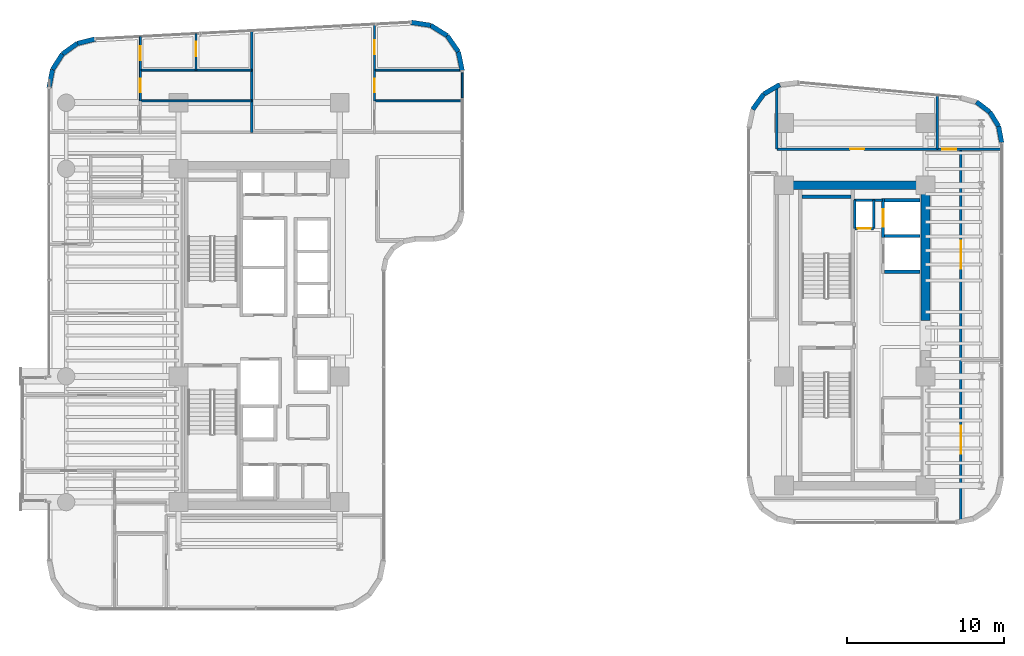
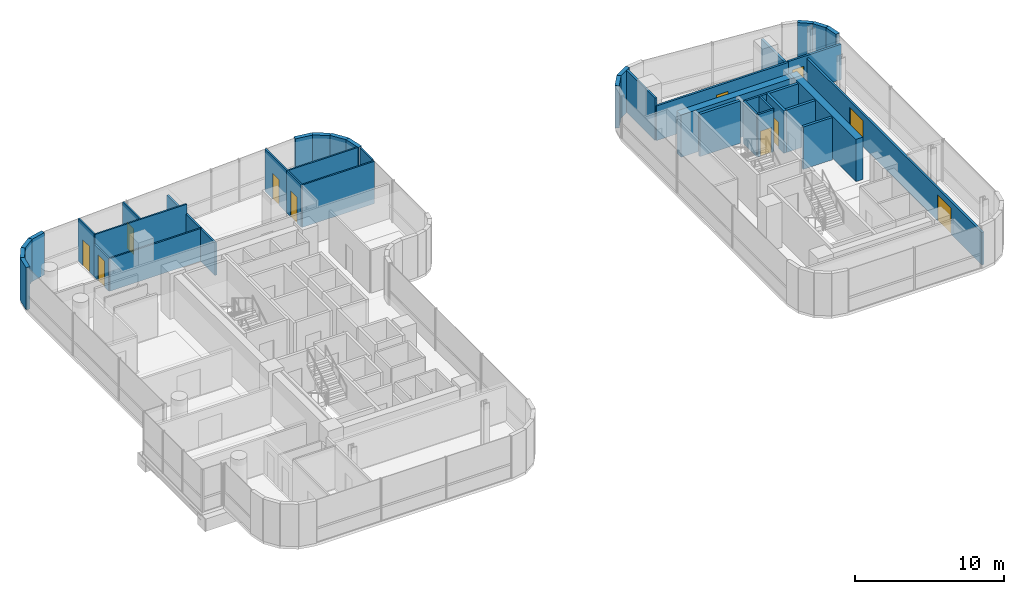
# One storey, part 29 of 34: 40 walls, 11 doors, 11 openings.
"""IFC4 building model written with IfcOpenShell, lengths in metres."""

from ifc_helpers import new_model, si_unit, direction, frame, frame_2d, origin, place, context, subcontext, project, spatial, rectangle, extrude, material, layer, layer_set, type_object, element, fill, save


model = new_model("IFC4")

# Units and contexts
model_context = context("Model", 3, precision=1e-05, world=origin(), true_north=direction((0.0, 1.0)))
body_context = subcontext(model_context, "Body", "Model", "MODEL_VIEW")
ifc_project = project(units=[si_unit("LENGTHUNIT", "METRE"), si_unit("AREAUNIT", "SQUARE_METRE"), si_unit("VOLUMEUNIT", "CUBIC_METRE"), si_unit("PLANEANGLEUNIT", "RADIAN"), si_unit("MASSUNIT", "GRAM", prefix="KILO")], contexts=[model_context])

# Site, building, storey
site_placement = place(None, origin())
site = spatial("IfcSite", under=ifc_project, at=site_placement, CompositionType="ELEMENT")
building_placement = place(site_placement, origin())
building = spatial("IfcBuilding", under=site, at=building_placement, Name="Valdorenza Pilgrim Sanctuary Tower", CompositionType="ELEMENT")
storey_placement = place(building_placement, frame((0.0, 0.0, 161.199951171875)))
storey = spatial("IfcBuildingStorey", under=building, at=storey_placement, Name="L41", CompositionType="ELEMENT", Elevation=161.199951171875)

# Wall, opening, door
ifc_material_1 = material(Name="Acoustic twin-stud gypsum partition", Category="gypsum")
ifc_layer_1 = layer(ifc_material_1, 0.159912109375, Name="Acoustic twin-stud gypsum partition")
ifc_layer_set_1 = layer_set([ifc_layer_1], Name="Acoustic twin-stud gypsum partition")
wall_type_1 = type_object("IfcWallType", Name="WAL-COR-160", PredefinedType="PARTITIONING", material=ifc_layer_set_1)
wall_1_placement = place(storey_placement, frame((20.35009765625, 6.800048828125, 0.0), z_axis=(0.0, 0.0, 1.0), x_axis=(1.0, 0.0, 0.0)))
wall_1 = element("IfcWall", 1, at=wall_1_placement, inside=storey, type_object=wall_type_1, Name="L41 Core B Riser South Wall", PredefinedType="PARTITIONING", context=body_context, shape_type="SweptSolid", body=[
    extrude(rectangle(XDim=1.199951171875, YDim=0.159912109375, at=frame_2d((0.60009765625, 0.0))), origin(), (0.0, 0.0, 1.0), 3.4599609375),
])
opening_1_placement = place(wall_1_placement, frame((0.175048828125, 0.0, 0.0)))
opening_1 = element("IfcOpeningElement", 2, at=opening_1_placement, cuts=wall_1, Name="Opening DR-RS1", PredefinedType="OPENING", context=body_context, shape_type="SweptSolid", body=[
    extrude(rectangle(XDim=0.85009765625, YDim=2.050048828125, at=frame_2d((0.425048828125, 1.02490234375))), frame((0.0, 0.0947265625, 0.0), z_axis=(0.0, -1.0, 0.0), x_axis=(1.0, 0.0, 0.0)), (0.0, 0.0, 1.0), 0.189697265625),
])
ifc_material_2 = material(Name="Painted galvanized steel", Category="steel")
door_type_1 = type_object("IfcDoorType", Name="DR-RSR-850", OperationType="NOTDEFINED", PredefinedType="DOOR", material=ifc_material_2)
door_1_placement = place(opening_1_placement, origin())
door_1 = element("IfcDoor", 3, at=door_1_placement, inside=storey, type_object=door_type_1, Name="L41 Core B Electrical Riser Door", OperationType="SINGLE_SWING_RIGHT", OverallHeight=2.050048828125, OverallWidth=0.85009765625, PredefinedType="DOOR", context=body_context, shape_type="SweptSolid", body=[
    extrude(rectangle(XDim=0.85009765625, YDim=2.050048828125, at=frame_2d((0.425048828125, 1.02490234375))), frame((0.0, 0.02490234375, 0.0), z_axis=(0.0, -1.0, 0.0), x_axis=(1.0, 0.0, 0.0)), (0.0, 0.0, 1.0), 0.050048828125),
])
fill(opening_1, door_1)

# Walls
for number, where, z_axis, x_axis, name in (
    (4, (21.550048828125, 6.800048828125, 0.0), (0.0, 0.0, 1.0), (0.0, 1.0, 0.0), "L41 Core B Riser East Wall"),
    (5, (20.35009765625, 6.800048828125, 0.0), (0.0, 0.0, 1.0), (0.0, 1.0, 0.0), "L41 Core B Riser West Wall"),
):
    element("IfcWall", number, at=place(storey_placement, frame(where, z_axis=z_axis, x_axis=x_axis)), inside=storey, type_object=wall_type_1, Name=name, PredefinedType="PARTITIONING", context=body_context, shape_type="SweptSolid", body=[
        extrude(rectangle(XDim=1.800048828125, YDim=0.159912109375, at=frame_2d((0.89990234375, 0.0))), origin(), (0.0, 0.0, 1.0), 3.4599609375),
    ])
wall_2_placement = place(storey_placement, frame((20.300048828125, 8.60009765625, 0.0), z_axis=(0.0, 0.0, 1.0), x_axis=(1.0, 0.0, 0.0)))
element("IfcWall", 6, at=wall_2_placement, inside=storey, type_object=wall_type_1, Name="L41 Core B Lift Hall North End Wall", PredefinedType="PARTITIONING", context=body_context, shape_type="SweptSolid", body=[
    extrude(rectangle(XDim=1.820068359375, YDim=0.159912109375, at=frame_2d((0.91015625, 0.0))), origin(), (0.0, 0.0, 1.0), 3.4599609375),
])

# Wall, opening, door
wall_3_placement = place(storey_placement, frame((15.39990234375, 11.85009765625, 0.0), z_axis=(0.0, 0.0, 1.0), x_axis=(1.0, 0.0, 0.0)))
wall_3 = element("IfcWall", 7, at=wall_3_placement, inside=storey, type_object=wall_type_1, Name="L41 Wing B North Corridor Wall", PredefinedType="PARTITIONING", context=body_context, shape_type="SweptSolid", body=[
    extrude(rectangle(XDim=10.2001953125, YDim=0.159912109375, at=frame_2d((5.10009765625, 0.0))), origin(), (0.0, 0.0, 1.0), 2.833984375),
])
opening_2_placement = place(wall_3_placement, frame((4.64990234375, 0.0, 0.0)))
opening_2 = element("IfcOpeningElement", 8, at=opening_2_placement, cuts=wall_3, Name="Opening DR-RM1", PredefinedType="OPENING", context=body_context, shape_type="SweptSolid", body=[
    extrude(rectangle(XDim=0.89990234375, YDim=2.10009765625, at=frame_2d((0.449951171875, 1.050048828125))), frame((0.0, 0.0947265625, 0.0), z_axis=(0.0, -1.0, 0.0), x_axis=(1.0, 0.0, 0.0)), (0.0, 0.0, 1.0), 0.189697265625),
])
ifc_material_3 = material(Name="Solid-core European oak timber", Category="wood")
door_type_2 = type_object("IfcDoorType", Name="DR-ROOM-900", OperationType="NOTDEFINED", PredefinedType="DOOR", material=ifc_material_3)
door_2_placement = place(opening_2_placement, frame((0.89990234375, 0.0, 0.0), z_axis=(0.0, 0.0, 1.0), x_axis=(-1.0, 0.0, 0.0)))
door_2 = element("IfcDoor", 9, at=door_2_placement, inside=storey, type_object=door_type_2, Name="L41 Curator Research Office L41-BN1 Door", OperationType="SINGLE_SWING_LEFT", OverallHeight=2.10009765625, OverallWidth=0.89990234375, PredefinedType="DOOR", context=body_context, shape_type="SweptSolid", body=[
    extrude(rectangle(XDim=0.89990234375, YDim=2.10009765625, at=frame_2d((0.449951171875, 1.050048828125))), frame((0.0, 0.02490234375, 0.0), z_axis=(0.0, -1.0, 0.0), x_axis=(1.0, 0.0, 0.0)), (0.0, 0.0, 1.0), 0.050048828125),
])
fill(opening_2, door_2)

# Walls
wall_4_placement = place(storey_placement, frame((15.39990234375, 11.85009765625, 0.0), z_axis=(0.0, 0.0, 1.0), x_axis=(0.0, 1.0, 0.0)))
element("IfcWall", 10, at=wall_4_placement, inside=storey, type_object=wall_type_1, Name="L41 Wing B North West Wall", PredefinedType="PARTITIONING", context=body_context, shape_type="SweptSolid", body=[
    extrude(rectangle(XDim=3.846923828125, YDim=0.159912109375, at=frame_2d((1.92333984375, 0.0))), origin(), (0.0, 0.0, 1.0), 3.4599609375),
])
wall_5_placement = place(storey_placement, frame((25.60009765625, 11.85009765625, 0.0), z_axis=(0.0, 0.0, 1.0), x_axis=(0.0, 1.0, 0.0)))
element("IfcWall", 11, at=wall_5_placement, inside=storey, type_object=wall_type_1, Name="L41 Wing B North East Wall", PredefinedType="PARTITIONING", context=body_context, shape_type="SweptSolid", body=[
    extrude(rectangle(XDim=3.426025390625, YDim=0.159912109375, at=frame_2d((1.712890625, 0.0))), origin(), (0.0, 0.0, 1.0), 2.666015625),
])

# Wall, openings, doors
wall_6_placement = place(storey_placement, frame((27.10009765625, -11.70068359375, 0.0), z_axis=(0.0, 0.0, 1.0), x_axis=(0.0, 1.0, 0.0)))
wall_6 = element("IfcWall", 12, at=wall_6_placement, inside=storey, type_object=wall_type_1, Name="L41 Wing B East Corridor Wall", PredefinedType="PARTITIONING", context=body_context, shape_type="SweptSolid", body=[
    extrude(rectangle(XDim=23.55078125, YDim=0.159912109375, at=frame_2d((11.775390625, 0.0))), origin(), (0.0, 0.0, 1.0), 2.666015625),
])
opening_3_placement = place(wall_6_placement, frame((4.1630859375, 0.0, 0.0)))
opening_3 = element("IfcOpeningElement", 13, at=opening_3_placement, cuts=wall_6, Name="Opening DR-HL1", PredefinedType="OPENING", context=body_context, shape_type="SweptSolid", body=[
    extrude(rectangle(XDim=1.800048828125, YDim=2.14990234375, at=frame_2d((0.89990234375, 1.074951171875))), frame((0.0, 0.0947265625, 0.0), z_axis=(0.0, -1.0, 0.0), x_axis=(1.0, 0.0, 0.0)), (0.0, 0.0, 1.0), 0.189697265625),
])
opening_4_placement = place(wall_6_placement, frame((15.93798828125, 0.0, 0.0)))
opening_4 = element("IfcOpeningElement", 14, at=opening_4_placement, cuts=wall_6, Name="Opening DR-HL1", PredefinedType="OPENING", context=body_context, shape_type="SweptSolid", body=[
    extrude(rectangle(XDim=1.800048828125, YDim=2.14990234375, at=frame_2d((0.89990234375, 1.074951171875))), frame((0.0, 0.0947265625, 0.0), z_axis=(0.0, -1.0, 0.0), x_axis=(1.0, 0.0, 0.0)), (0.0, 0.0, 1.0), 0.189697265625),
])
ifc_material_4 = material(Name="Acoustic oak and vision-glass double door", Category="glass")
door_type_3 = type_object("IfcDoorType", Name="DR-HALL-1800", OperationType="NOTDEFINED", PredefinedType="DOOR", material=ifc_material_4)
door_3_placement = place(opening_3_placement, origin())
door_3 = element("IfcDoor", 15, at=door_3_placement, inside=storey, type_object=door_type_3, Name="L41 East Reading Lounge L41-EB1 Door", OperationType="DOUBLE_DOOR_SINGLE_SWING", OverallHeight=2.14990234375, OverallWidth=1.800048828125, PredefinedType="DOOR", context=body_context, shape_type="SweptSolid", body=[
    extrude(rectangle(XDim=1.800048828125, YDim=2.14990234375, at=frame_2d((0.89990234375, 1.074951171875))), frame((0.0, 0.02490234375, 0.0), z_axis=(0.0, -1.0, 0.0), x_axis=(1.0, 0.0, 0.0)), (0.0, 0.0, 1.0), 0.050048828125),
])
fill(opening_3, door_3)
door_4_placement = place(opening_4_placement, frame((1.800048828125, 0.0, 0.0), z_axis=(0.0, 0.0, 1.0), x_axis=(-1.0, 0.0, 0.0)))
door_4 = element("IfcDoor", 16, at=door_4_placement, inside=storey, type_object=door_type_3, Name="L41 East Reading Lounge L41-EB2 Door", OperationType="DOUBLE_DOOR_SINGLE_SWING", OverallHeight=2.14990234375, OverallWidth=1.800048828125, PredefinedType="DOOR", context=body_context, shape_type="SweptSolid", body=[
    extrude(rectangle(XDim=1.800048828125, YDim=2.14990234375, at=frame_2d((0.89990234375, 1.074951171875))), frame((0.0, 0.02490234375, 0.0), z_axis=(0.0, -1.0, 0.0), x_axis=(1.0, 0.0, 0.0)), (0.0, 0.0, 1.0), 0.050048828125),
])
fill(opening_4, door_4)

# Wall, opening, door
wall_7_placement = place(storey_placement, frame((25.60009765625, 11.85009765625, 0.0), z_axis=(0.0, 0.0, 1.0), x_axis=(1.0, 0.0, 0.0)))
wall_7 = element("IfcWall", 17, at=wall_7_placement, inside=storey, type_object=wall_type_1, Name="L41 East Wing NE Corner South Wall", PredefinedType="PARTITIONING", context=body_context, shape_type="SweptSolid", body=[
    extrude(rectangle(XDim=4.08984375, YDim=0.159912109375, at=frame_2d((2.044921875, 0.0))), origin(), (0.0, 0.0, 1.0), 2.89599609375),
])
opening_5_placement = place(wall_7_placement, frame((0.300048828125, 0.0, 0.0)))
opening_5 = element("IfcOpeningElement", 18, at=opening_5_placement, cuts=wall_7, Name="Opening DR-RM1", PredefinedType="OPENING", context=body_context, shape_type="SweptSolid", body=[
    extrude(rectangle(XDim=0.89990234375, YDim=2.10009765625, at=frame_2d((0.449951171875, 1.050048828125))), frame((0.0, 0.0947265625, 0.0), z_axis=(0.0, -1.0, 0.0), x_axis=(1.0, 0.0, 0.0)), (0.0, 0.0, 1.0), 0.189697265625),
])
door_5_placement = place(opening_5_placement, origin())
door_5 = element("IfcDoor", 19, at=door_5_placement, inside=storey, type_object=door_type_2, Name="L41 East North Alcove Office L41 Door", OperationType="SINGLE_SWING_LEFT", OverallHeight=2.10009765625, OverallWidth=0.89990234375, PredefinedType="DOOR", context=body_context, shape_type="SweptSolid", body=[
    extrude(rectangle(XDim=0.89990234375, YDim=2.10009765625, at=frame_2d((0.449951171875, 1.050048828125))), frame((0.0, 0.02490234375, 0.0), z_axis=(0.0, -1.0, 0.0), x_axis=(1.0, 0.0, 0.0)), (0.0, 0.0, 1.0), 0.050048828125),
])
fill(opening_5, door_5)

# Walls
ifc_material_5 = material(Name="Concrete C50/60", Category="concrete")
ifc_layer_2 = layer(ifc_material_5, 0.550048828125, Name="Concrete C50/60")
ifc_layer_set_2 = layer_set([ifc_layer_2], Name="Concrete C50/60")
wall_type_2 = type_object("IfcWallType", Name="WAL-COR-550", PredefinedType="SHEAR", material=ifc_layer_set_2)
wall_8_placement = place(storey_placement, frame((24.85009765625, 0.949951171875, 0.0), z_axis=(0.0, 0.0, 1.0), x_axis=(0.0, 1.0, 0.0)))
element("IfcWall", 20, at=wall_8_placement, inside=storey, type_object=wall_type_2, Name="L41 Split Core B Shear Wall EN", PredefinedType="SHEAR", context=body_context, shape_type="SweptSolid", body=[
    extrude(rectangle(XDim=8.875, YDim=0.550048828125, at=frame_2d((4.4375, 0.0))), origin(), (0.0, 0.0, 1.0), 3.4599609375),
])
wall_9_placement = place(storey_placement, frame((15.85009765625, 9.550048828125, 0.0), z_axis=(0.0, 0.0, 1.0), x_axis=(1.0, 0.0, 0.0)))
element("IfcWall", 21, at=wall_9_placement, inside=storey, type_object=wall_type_2, Name="L41 Split Core B Shear Wall N", PredefinedType="SHEAR", context=body_context, shape_type="SweptSolid", body=[
    extrude(rectangle(XDim=9.0, YDim=0.550048828125, at=frame_2d((4.5, 0.0))), origin(), (0.0, 0.0, 1.0), 3.4599609375),
])
ifc_material_6 = material(Name="Honed travertine limestone", Category="masonry")
ifc_layer_3 = layer(ifc_material_6, 0.300048828125, Name="Honed travertine limestone")
ifc_layer_set_3 = layer_set([ifc_layer_3], Name="Honed travertine limestone")
wall_type_3 = type_object("IfcWallType", Name="WAL-EXT-300", PredefinedType="SOLIDWALL", material=ifc_layer_set_3)
wall_10_placement = place(storey_placement, frame((-30.889892578125, 15.754150390625, 0.0), z_axis=(0.0, 0.0, 1.0), x_axis=(0.188562397879, 0.982061210977, 0.0)))
element("IfcWall", 22, at=wall_10_placement, inside=storey, type_object=wall_type_3, Name="L41 Rounded Wind-Corner Stone Pier 2", PredefinedType="SOLIDWALL", context=body_context, shape_type="SweptSolid", body=[
    extrude(rectangle(XDim=1.175537109375, YDim=0.300048828125, at=frame_2d((0.587890625, 0.0))), origin(), (0.0, 0.0, 1.0), 3.4599609375),
])
for number, where, z_axis, x_axis, name in (
    (23, (-30.668212890625, 16.90869140625, 0.0), (0.0, 0.0, 1.0), (0.539125072412, 0.842225715766, 0.0), "L41 Rounded Wind-Corner Stone Pier 3"),
    (24, (-30.040283203125, 17.8896484375, 0.0), (0.0, 0.0, 1.0), (0.81257061936, 0.582862752758, 0.0), "L41 Rounded Wind-Corner Stone Pier 4"),
):
    element("IfcWall", number, at=place(storey_placement, frame(where, z_axis=z_axis, x_axis=x_axis)), inside=storey, type_object=wall_type_3, Name=name, PredefinedType="SOLIDWALL", context=body_context, shape_type="SweptSolid", body=[
        extrude(rectangle(XDim=1.164794921875, YDim=0.300048828125, at=frame_2d((0.58251953125, 0.0))), origin(), (0.0, 0.0, 1.0), 3.4599609375),
    ])
wall_11_placement = place(storey_placement, frame((-29.09375, 18.568603515625, 0.0), z_axis=(0.0, 0.0, 1.0), x_axis=(0.970762249107, 0.24004302887, 0.0)))
element("IfcWall", 25, at=wall_11_placement, inside=storey, type_object=wall_type_3, Name="L41 Rounded Wind-Corner Stone Pier 5", PredefinedType="SOLIDWALL", context=body_context, shape_type="SweptSolid", body=[
    extrude(rectangle(XDim=1.17578125, YDim=0.300048828125, at=frame_2d((0.587890625, 0.0))), origin(), (0.0, 0.0, 1.0), 3.4599609375),
])
wall_12_placement = place(storey_placement, frame((-7.874267578125, 19.91162109375, 0.0), z_axis=(0.0, 0.0, 1.0), x_axis=(0.988741655411, -0.149632679769, 0.0)))
element("IfcWall", 26, at=wall_12_placement, inside=storey, type_object=wall_type_3, Name="L41 Rounded Wind-Corner Stone Pier 7", PredefinedType="SOLIDWALL", context=body_context, shape_type="SweptSolid", body=[
    extrude(rectangle(XDim=1.25634765625, YDim=0.300048828125, at=frame_2d((0.628173828125, 0.0))), origin(), (0.0, 0.0, 1.0), 3.4599609375),
])
wall_13_placement = place(storey_placement, frame((-6.632080078125, 19.7236328125, 0.0), z_axis=(0.0, 0.0, 1.0), x_axis=(0.849285325289, -0.527934121126, 0.0)))
element("IfcWall", 27, at=wall_13_placement, inside=storey, type_object=wall_type_3, Name="L41 Rounded Wind-Corner Stone Pier 8", PredefinedType="SOLIDWALL", context=body_context, shape_type="SweptSolid", body=[
    extrude(rectangle(XDim=1.244384765625, YDim=0.300048828125, at=frame_2d((0.6220703125, 0.0))), origin(), (0.0, 0.0, 1.0), 3.4599609375),
])
wall_14_placement = place(storey_placement, frame((-5.5751953125, 19.066650390625, 0.0), z_axis=(0.0, 0.0, 1.0), x_axis=(0.571960670617, -0.820281044074, 0.0)))
element("IfcWall", 28, at=wall_14_placement, inside=storey, type_object=wall_type_3, Name="L41 Rounded Wind-Corner Stone Pier 9", PredefinedType="SOLIDWALL", context=body_context, shape_type="SweptSolid", body=[
    extrude(rectangle(XDim=1.24462890625, YDim=0.300048828125, at=frame_2d((0.622314453125, 0.0))), origin(), (0.0, 0.0, 1.0), 3.4599609375),
])
wall_15_placement = place(storey_placement, frame((-4.86328125, 18.045654296875, 0.0), z_axis=(0.0, 0.0, 1.0), x_axis=(0.201532282172, -0.97948187285, 0.0)))
element("IfcWall", 29, at=wall_15_placement, inside=storey, type_object=wall_type_3, Name="L41 Rounded Wind-Corner Stone Pier 10", PredefinedType="SOLIDWALL", context=body_context, shape_type="SweptSolid", body=[
    extrude(rectangle(XDim=1.25634765625, YDim=0.300048828125, at=frame_2d((0.628173828125, 0.0))), origin(), (0.0, 0.0, 1.0), 3.4599609375),
])
for number, where, z_axis, x_axis, name in (
    (30, (13.858154296875, 14.377197265625, 0.0), (0.0, 0.0, 1.0), (0.583948425707, 0.811790758825, 0.0), "L41 Rounded Wind-Corner Stone Pier 3"),
    (31, (14.553955078125, 15.344482421875, 0.0), (0.0, 0.0, 1.0), (0.861907880486, 0.507064892846, 0.0), "L41 Rounded Wind-Corner Stone Pier 4"),
):
    element("IfcWall", number, at=place(storey_placement, frame(where, z_axis=z_axis, x_axis=x_axis)), inside=storey, type_object=wall_type_3, Name=name, PredefinedType="SOLIDWALL", context=body_context, shape_type="SweptSolid", body=[
        extrude(rectangle(XDim=1.191650390625, YDim=0.300048828125, at=frame_2d((0.595703125, 0.0))), origin(), (0.0, 0.0, 1.0), 3.4599609375),
    ])
for number, where, z_axis, x_axis, name in (
    (32, (28.086181640625, 14.849365234375, 0.0), (0.0, 0.0, 1.0), (0.798147425144, -0.602462187806, 0.0), "L41 Rounded Wind-Corner Stone Pier 8"),
    (33, (28.93359375, 14.209716796875, 0.0), (0.0, 0.0, 1.0), (0.52675032424, -0.850020056183, 0.0), "L41 Rounded Wind-Corner Stone Pier 9"),
):
    element("IfcWall", number, at=place(storey_placement, frame(where, z_axis=z_axis, x_axis=x_axis)), inside=storey, type_object=wall_type_3, Name=name, PredefinedType="SOLIDWALL", context=body_context, shape_type="SweptSolid", body=[
        extrude(rectangle(XDim=1.061767578125, YDim=0.300048828125, at=frame_2d((0.53076171875, 0.0))), origin(), (0.0, 0.0, 1.0), 3.4599609375),
    ])
wall_16_placement = place(storey_placement, frame((29.492919921875, 13.30712890625, 0.0), z_axis=(0.0, 0.0, 1.0), x_axis=(0.183752343116, -0.98297257154, 0.0)))
element("IfcWall", 34, at=wall_16_placement, inside=storey, type_object=wall_type_3, Name="L41 Rounded Wind-Corner Stone Pier 10", PredefinedType="SOLIDWALL", context=body_context, shape_type="SweptSolid", body=[
    extrude(rectangle(XDim=1.072265625, YDim=0.300048828125, at=frame_2d((0.5361328125, 0.0))), origin(), (0.0, 0.0, 1.0), 3.4599609375),
])
ifc_material_7 = material(Name="Moisture-resistant gypsum partition", Category="gypsum")
ifc_layer_4 = layer(ifc_material_7, 0.1201171875, Name="Moisture-resistant gypsum partition")
ifc_layer_set_4 = layer_set([ifc_layer_4], Name="Moisture-resistant gypsum partition")
wall_type_4 = type_object("IfcWallType", Name="WAL-INT-120", PredefinedType="PARTITIONING", material=ifc_layer_set_4)
wall_17_placement = place(storey_placement, frame((-25.0849609375, 14.919921875, 0.0), z_axis=(0.0, 0.0, 1.0), x_axis=(1.0, 0.0, 0.0)))
element("IfcWall", 35, at=wall_17_placement, inside=storey, type_object=wall_type_4, Name="L41 North Family Flat L41-N1 Bath-Kitchen Wall", PredefinedType="PARTITIONING", context=body_context, shape_type="SweptSolid", body=[
    extrude(rectangle(XDim=7.0849609375, YDim=0.1201171875, at=frame_2d((3.54248046875, 0.0))), origin(), (0.0, 0.0, 1.0), 2.666015625),
])
wall_18_placement = place(storey_placement, frame((-25.0849609375, 16.8701171875, 0.0), z_axis=(0.0, 0.0, 1.0), x_axis=(1.0, 0.0, 0.0)))
element("IfcWall", 36, at=wall_18_placement, inside=storey, type_object=wall_type_4, Name="L41 North Family Flat L41-N1 Kitchen-Bedroom Wall", PredefinedType="PARTITIONING", context=body_context, shape_type="SweptSolid", body=[
    extrude(rectangle(XDim=7.0849609375, YDim=0.1201171875, at=frame_2d((3.54248046875, 0.0))), origin(), (0.0, 0.0, 1.0), 3.4599609375),
])

# Wall, opening, door
wall_19_placement = place(storey_placement, frame((-25.0849609375, 14.919921875, 0.0), z_axis=(0.0, 0.0, 1.0), x_axis=(0.0, 1.0, 0.0)))
wall_19 = element("IfcWall", 37, at=wall_19_placement, inside=storey, type_object=wall_type_4, Name="L41 North Family Flat L41-N1 Bathroom Door Wall", PredefinedType="PARTITIONING", context=body_context, shape_type="SweptSolid", body=[
    extrude(rectangle(XDim=1.9501953125, YDim=0.1201171875, at=frame_2d((0.97509765625, 0.0))), origin(), (0.0, 0.0, 1.0), 2.666015625),
])
opening_6_placement = place(wall_19_placement, frame((0.550048828125, 0.0, 0.0)))
opening_6 = element("IfcOpeningElement", 38, at=opening_6_placement, cuts=wall_19, Name="Opening DR-WC1", PredefinedType="OPENING", context=body_context, shape_type="SweptSolid", body=[
    extrude(rectangle(XDim=0.85009765625, YDim=2.10009765625, at=frame_2d((0.425048828125, 1.050048828125))), frame((0.0, 0.074951171875, 0.0), z_axis=(0.0, -1.0, 0.0), x_axis=(1.0, 0.0, 0.0)), (0.0, 0.0, 1.0), 0.14990234375),
])
ifc_material_8 = material(Name="Moisture-resistant lacquered timber", Category="wood")
door_type_4 = type_object("IfcDoorType", Name="DR-BATH-850", OperationType="NOTDEFINED", PredefinedType="DOOR", material=ifc_material_8)
door_6_placement = place(opening_6_placement, origin())
door_6 = element("IfcDoor", 39, at=door_6_placement, inside=storey, type_object=door_type_4, Name="L41 North Family Flat L41-N1 Bathroom Door", OperationType="SINGLE_SWING_RIGHT", OverallHeight=2.10009765625, OverallWidth=0.85009765625, PredefinedType="DOOR", context=body_context, shape_type="SweptSolid", body=[
    extrude(rectangle(XDim=0.85009765625, YDim=2.10009765625, at=frame_2d((0.425048828125, 1.050048828125))), frame((0.0, 0.02490234375, 0.0), z_axis=(0.0, -1.0, 0.0), x_axis=(1.0, 0.0, 0.0)), (0.0, 0.0, 1.0), 0.050048828125),
])
fill(opening_6, door_6)

wall_20_placement = place(storey_placement, frame((-25.0849609375, 16.8701171875, 0.0), z_axis=(0.0, 0.0, 1.0), x_axis=(0.0, 1.0, 0.0)))
wall_20 = element("IfcWall", 40, at=wall_20_placement, inside=storey, type_object=wall_type_4, Name="L41 North Family Flat L41-N1 Bedroom Door Wall", PredefinedType="PARTITIONING", context=body_context, shape_type="SweptSolid", body=[
    extrude(rectangle(XDim=2.132080078125, YDim=0.1201171875, at=frame_2d((1.06591796875, 0.0))), origin(), (0.0, 0.0, 1.0), 3.4599609375),
])
opening_7_placement = place(wall_20_placement, frame((0.615966796875, 0.0, 0.0)))
opening_7 = element("IfcOpeningElement", 41, at=opening_7_placement, cuts=wall_20, Name="Opening DR-RM1", PredefinedType="OPENING", context=body_context, shape_type="SweptSolid", body=[
    extrude(rectangle(XDim=0.89990234375, YDim=2.10009765625, at=frame_2d((0.449951171875, 1.050048828125))), frame((0.0, 0.074951171875, 0.0), z_axis=(0.0, -1.0, 0.0), x_axis=(1.0, 0.0, 0.0)), (0.0, 0.0, 1.0), 0.14990234375),
])
door_7_placement = place(opening_7_placement, origin())
door_7 = element("IfcDoor", 42, at=door_7_placement, inside=storey, type_object=door_type_2, Name="L41 North Family Flat L41-N1 Bedroom 1 Door", OperationType="SINGLE_SWING_RIGHT", OverallHeight=2.10009765625, OverallWidth=0.89990234375, PredefinedType="DOOR", context=body_context, shape_type="SweptSolid", body=[
    extrude(rectangle(XDim=0.89990234375, YDim=2.10009765625, at=frame_2d((0.449951171875, 1.050048828125))), frame((0.0, 0.02490234375, 0.0), z_axis=(0.0, -1.0, 0.0), x_axis=(1.0, 0.0, 0.0)), (0.0, 0.0, 1.0), 0.050048828125),
])
fill(opening_7, door_7)

wall_21_placement = place(storey_placement, frame((-21.54248046875, 16.8701171875, 0.0), z_axis=(0.0, 0.0, 1.0), x_axis=(0.0, 1.0, 0.0)))
wall_21 = element("IfcWall", 43, at=wall_21_placement, inside=storey, type_object=wall_type_4, Name="L41 North Family Flat L41-N1 Bedroom 2 Wall", PredefinedType="PARTITIONING", context=body_context, shape_type="SweptSolid", body=[
    extrude(rectangle(XDim=2.3193359375, YDim=0.1201171875, at=frame_2d((1.15966796875, 0.0))), origin(), (0.0, 0.0, 1.0), 3.4599609375),
])
opening_8_placement = place(wall_21_placement, frame((0.89990234375, 0.0, 0.0)))
opening_8 = element("IfcOpeningElement", 44, at=opening_8_placement, cuts=wall_21, Name="Opening DR-RM1", PredefinedType="OPENING", context=body_context, shape_type="SweptSolid", body=[
    extrude(rectangle(XDim=0.89990234375, YDim=2.10009765625, at=frame_2d((0.449951171875, 1.050048828125))), frame((0.0, 0.074951171875, 0.0), z_axis=(0.0, -1.0, 0.0), x_axis=(1.0, 0.0, 0.0)), (0.0, 0.0, 1.0), 0.14990234375),
])
door_8_placement = place(opening_8_placement, frame((0.89990234375, 0.0, 0.0), z_axis=(0.0, 0.0, 1.0), x_axis=(-1.0, 0.0, 0.0)))
door_8 = element("IfcDoor", 45, at=door_8_placement, inside=storey, type_object=door_type_2, Name="L41 North Family Flat L41-N1 Bedroom 2 Door", OperationType="SINGLE_SWING_LEFT", OverallHeight=2.10009765625, OverallWidth=0.89990234375, PredefinedType="DOOR", context=body_context, shape_type="SweptSolid", body=[
    extrude(rectangle(XDim=0.89990234375, YDim=2.10009765625, at=frame_2d((0.449951171875, 1.050048828125))), frame((0.0, 0.02490234375, 0.0), z_axis=(0.0, -1.0, 0.0), x_axis=(1.0, 0.0, 0.0)), (0.0, 0.0, 1.0), 0.050048828125),
])
fill(opening_8, door_8)

# Walls
wall_22_placement = place(storey_placement, frame((-10.190673828125, 14.919921875, 0.0), z_axis=(0.0, 0.0, 1.0), x_axis=(1.0, 0.0, 0.0)))
element("IfcWall", 46, at=wall_22_placement, inside=storey, type_object=wall_type_4, Name="L41 North Family Flat L41-N2 Bath-Kitchen Wall", PredefinedType="PARTITIONING", context=body_context, shape_type="SweptSolid", body=[
    extrude(rectangle(XDim=5.58056640625, YDim=0.1201171875, at=frame_2d((2.790283203125, 0.0))), origin(), (0.0, 0.0, 1.0), 3.4599609375),
])
wall_23_placement = place(storey_placement, frame((-10.190673828125, 16.8701171875, 0.0), z_axis=(0.0, 0.0, 1.0), x_axis=(1.0, 0.0, 0.0)))
element("IfcWall", 47, at=wall_23_placement, inside=storey, type_object=wall_type_4, Name="L41 North Family Flat L41-N2 Kitchen-Bedroom Wall", PredefinedType="PARTITIONING", context=body_context, shape_type="SweptSolid", body=[
    extrude(rectangle(XDim=5.44189453125, YDim=0.1201171875, at=frame_2d((2.720947265625, 0.0))), origin(), (0.0, 0.0, 1.0), 3.4599609375),
])

# Wall, opening, door
wall_24_placement = place(storey_placement, frame((-10.190673828125, 14.919921875, 0.0), z_axis=(0.0, 0.0, 1.0), x_axis=(0.0, 1.0, 0.0)))
wall_24 = element("IfcWall", 48, at=wall_24_placement, inside=storey, type_object=wall_type_4, Name="L41 North Family Flat L41-N2 Bathroom Door Wall", PredefinedType="PARTITIONING", context=body_context, shape_type="SweptSolid", body=[
    extrude(rectangle(XDim=1.9501953125, YDim=0.1201171875, at=frame_2d((0.97509765625, 0.0))), origin(), (0.0, 0.0, 1.0), 3.4599609375),
])
opening_9_placement = place(wall_24_placement, frame((0.550048828125, 0.0, 0.0)))
opening_9 = element("IfcOpeningElement", 49, at=opening_9_placement, cuts=wall_24, Name="Opening DR-WC1", PredefinedType="OPENING", context=body_context, shape_type="SweptSolid", body=[
    extrude(rectangle(XDim=0.85009765625, YDim=2.10009765625, at=frame_2d((0.425048828125, 1.050048828125))), frame((0.0, 0.074951171875, 0.0), z_axis=(0.0, -1.0, 0.0), x_axis=(1.0, 0.0, 0.0)), (0.0, 0.0, 1.0), 0.14990234375),
])
door_9_placement = place(opening_9_placement, origin())
door_9 = element("IfcDoor", 50, at=door_9_placement, inside=storey, type_object=door_type_4, Name="L41 North Family Flat L41-N2 Bathroom Door", OperationType="SINGLE_SWING_LEFT", OverallHeight=2.10009765625, OverallWidth=0.85009765625, PredefinedType="DOOR", context=body_context, shape_type="SweptSolid", body=[
    extrude(rectangle(XDim=0.85009765625, YDim=2.10009765625, at=frame_2d((0.425048828125, 1.050048828125))), frame((0.0, 0.02490234375, 0.0), z_axis=(0.0, -1.0, 0.0), x_axis=(1.0, 0.0, 0.0)), (0.0, 0.0, 1.0), 0.050048828125),
])
fill(opening_9, door_9)

wall_25_placement = place(storey_placement, frame((-10.190673828125, 16.8701171875, 0.0), z_axis=(0.0, 0.0, 1.0), x_axis=(0.0, 1.0, 0.0)))
wall_25 = element("IfcWall", 51, at=wall_25_placement, inside=storey, type_object=wall_type_4, Name="L41 North Family Flat L41-N2 Bedroom Door Wall", PredefinedType="PARTITIONING", context=body_context, shape_type="SweptSolid", body=[
    extrude(rectangle(XDim=2.919189453125, YDim=0.1201171875, at=frame_2d((1.45947265625, 0.0))), origin(), (0.0, 0.0, 1.0), 3.4599609375),
])
opening_10_placement = place(wall_25_placement, frame((1.010009765625, 0.0, 0.0)))
opening_10 = element("IfcOpeningElement", 52, at=opening_10_placement, cuts=wall_25, Name="Opening DR-RM1", PredefinedType="OPENING", context=body_context, shape_type="SweptSolid", body=[
    extrude(rectangle(XDim=0.89990234375, YDim=2.10009765625, at=frame_2d((0.449951171875, 1.050048828125))), frame((0.0, 0.074951171875, 0.0), z_axis=(0.0, -1.0, 0.0), x_axis=(1.0, 0.0, 0.0)), (0.0, 0.0, 1.0), 0.14990234375),
])
door_10_placement = place(opening_10_placement, frame((0.89990234375, 0.0, 0.0), z_axis=(0.0, 0.0, 1.0), x_axis=(-1.0, 0.0, 0.0)))
door_10 = element("IfcDoor", 53, at=door_10_placement, inside=storey, type_object=door_type_2, Name="L41 North Family Flat L41-N2 Bedroom Door", OperationType="SINGLE_SWING_LEFT", OverallHeight=2.10009765625, OverallWidth=0.89990234375, PredefinedType="DOOR", context=body_context, shape_type="SweptSolid", body=[
    extrude(rectangle(XDim=0.89990234375, YDim=2.10009765625, at=frame_2d((0.449951171875, 1.050048828125))), frame((0.0, 0.02490234375, 0.0), z_axis=(0.0, -1.0, 0.0), x_axis=(1.0, 0.0, 0.0)), (0.0, 0.0, 1.0), 0.050048828125),
])
fill(opening_10, door_10)

# Walls
wall_26_placement = place(storey_placement, frame((-4.610107421875, 15.10009765625, 0.0), z_axis=(0.0, 0.0, 1.0), x_axis=(0.0, 1.0, 0.0)))
element("IfcWall", 54, at=wall_26_placement, inside=storey, type_object=wall_type_4, Name="L41 NW-FL2-BTH Enclosure Wall E", PredefinedType="PARTITIONING", context=body_context, shape_type="SweptSolid", body=[
    extrude(rectangle(XDim=1.5927734375, YDim=0.1201171875, at=frame_2d((0.79638671875, 0.0))), origin(), (0.0, 0.0, 1.0), 3.4599609375),
])
ifc_material_9 = material(Name="Autoclaved aerated concrete blockwork", Category="masonry")
ifc_layer_5 = layer(ifc_material_9, 0.199951171875, Name="Autoclaved aerated concrete blockwork")
ifc_layer_set_5 = layer_set([ifc_layer_5], Name="Autoclaved aerated concrete blockwork")
wall_type_5 = type_object("IfcWallType", Name="WAL-SHF-200", PredefinedType="MOVABLE", material=ifc_layer_set_5)
for number, where, z_axis, x_axis, name in (
    (55, (22.25, 4.050048828125, 0.0), (0.0, 0.0, 1.0), (1.0, 0.0, 0.0), "L41 Lift PL-07 Hoistway Wall South"),
    (56, (22.25, 6.324951171875, 0.0), (0.0, 0.0, 1.0), (1.0, 0.0, 0.0), "L41 Lift PL-07 Hoistway Wall North"),
):
    element("IfcWall", number, at=place(storey_placement, frame(where, z_axis=z_axis, x_axis=x_axis)), inside=storey, type_object=wall_type_5, Name=name, PredefinedType="MOVABLE", context=body_context, shape_type="SweptSolid", body=[
        extrude(rectangle(XDim=2.22998046875, YDim=0.199951171875, at=frame_2d((1.114990234375, 0.0))), origin(), (0.0, 0.0, 1.0), 3.4599609375),
    ])

# Wall, opening, door
wall_27_placement = place(storey_placement, frame((22.14990234375, 6.22509765625, 0.0), z_axis=(0.0, 0.0, 1.0), x_axis=(0.0, 1.0, 0.0)))
wall_27 = element("IfcWall", 57, at=wall_27_placement, inside=storey, type_object=wall_type_5, Name="L41 Lift PL-08 Hoistway Wall West", PredefinedType="MOVABLE", context=body_context, shape_type="SweptSolid", body=[
    extrude(rectangle(XDim=2.474853515625, YDim=0.199951171875, at=frame_2d((1.2373046875, 0.0))), origin(), (0.0, 0.0, 1.0), 3.4599609375),
])
opening_11_placement = place(wall_27_placement, frame((0.6875, 0.0, 0.0)))
opening_11 = element("IfcOpeningElement", 58, at=opening_11_placement, cuts=wall_27, Name="Opening LD-01", PredefinedType="OPENING", context=body_context, shape_type="SweptSolid", body=[
    extrude(rectangle(XDim=1.10009765625, YDim=2.10009765625, at=frame_2d((0.550048828125, 1.050048828125))), frame((0.0, 0.11474609375, 0.0), z_axis=(0.0, -1.0, 0.0), x_axis=(1.0, 0.0, 0.0)), (0.0, 0.0, 1.0), 0.229736328125),
])
ifc_material_10 = material(Name="Brushed stainless steel Grade 316", Category="steel")
door_type_5 = type_object("IfcDoorType", Name="DR-LFT-1100", OperationType="DOUBLE_DOOR_SLIDING", PredefinedType="DOOR", material=ifc_material_10)
door_11_placement = place(opening_11_placement, origin())
door_11 = element("IfcDoor", 59, at=door_11_placement, inside=storey, type_object=door_type_5, Name="L41 Lift PL-08 Sliding Landing Door", OperationType="DOUBLE_DOOR_SLIDING", OverallHeight=2.10009765625, OverallWidth=1.10009765625, PredefinedType="DOOR", context=body_context, shape_type="SweptSolid", body=[
    extrude(rectangle(XDim=1.10009765625, YDim=2.10009765625, at=frame_2d((0.550048828125, 1.050048828125))), frame((0.0, 0.02490234375, 0.0), z_axis=(0.0, -1.0, 0.0), x_axis=(1.0, 0.0, 0.0)), (0.0, 0.0, 1.0), 0.050048828125),
])
fill(opening_11, door_11)

# Walls
wall_28_placement = place(storey_placement, frame((22.25, 8.60009765625, 0.0), z_axis=(0.0, 0.0, 1.0), x_axis=(1.0, 0.0, 0.0)))
element("IfcWall", 60, at=wall_28_placement, inside=storey, type_object=wall_type_5, Name="L41 Lift PL-08 Hoistway Wall North", PredefinedType="MOVABLE", context=body_context, shape_type="SweptSolid", body=[
    extrude(rectangle(XDim=2.22998046875, YDim=0.199951171875, at=frame_2d((1.114990234375, 0.0))), origin(), (0.0, 0.0, 1.0), 3.4599609375),
])
ifc_material_11 = material(Name="Concrete C40/50", Category="concrete")
ifc_layer_6 = layer(ifc_material_11, 0.219970703125, Name="Concrete C40/50")
ifc_layer_set_6 = layer_set([ifc_layer_6], Name="Concrete C40/50")
wall_type_6 = type_object("IfcWallType", Name="WAL-STR-SHF-220", PredefinedType="SHEAR", material=ifc_layer_set_6)
wall_29_placement = place(storey_placement, frame((17.0, 8.81005859375, 0.0), z_axis=(0.0, 0.0, 1.0), x_axis=(1.0, 0.0, 0.0)))
element("IfcWall", 61, at=wall_29_placement, inside=storey, type_object=wall_type_6, Name="L41 ST-B1 Structural Stairwell Wall N", PredefinedType="SHEAR", context=body_context, shape_type="SweptSolid", body=[
    extrude(rectangle(XDim=3.110107421875, YDim=0.219970703125, at=frame_2d((1.55517578125, 0.0))), origin(), (0.0, 0.0, 1.0), 3.4599609375),
])
ifc_layer_7 = layer(ifc_material_1, 0.14990234375, Name="Acoustic twin-stud gypsum partition")
ifc_layer_set_7 = layer_set([ifc_layer_7], Name="Acoustic twin-stud gypsum partition")
wall_type_7 = type_object("IfcWallType", Name="WAL-UNT-150", PredefinedType="PARTITIONING", material=ifc_layer_set_7)
wall_30_placement = place(storey_placement, frame((-18.0, 12.919921875, 0.0), z_axis=(0.0, 0.0, 1.0), x_axis=(0.0, 1.0, 0.0)))
element("IfcWall", 62, at=wall_30_placement, inside=storey, type_object=wall_type_7, Name="L41 North Flat Demising 1", PredefinedType="PARTITIONING", context=body_context, shape_type="SweptSolid", body=[
    extrude(rectangle(XDim=6.456787109375, YDim=0.14990234375, at=frame_2d((3.228515625, 0.0))), origin(), (0.0, 0.0, 1.0), 2.666015625),
])

save(model, "model.ifc")
